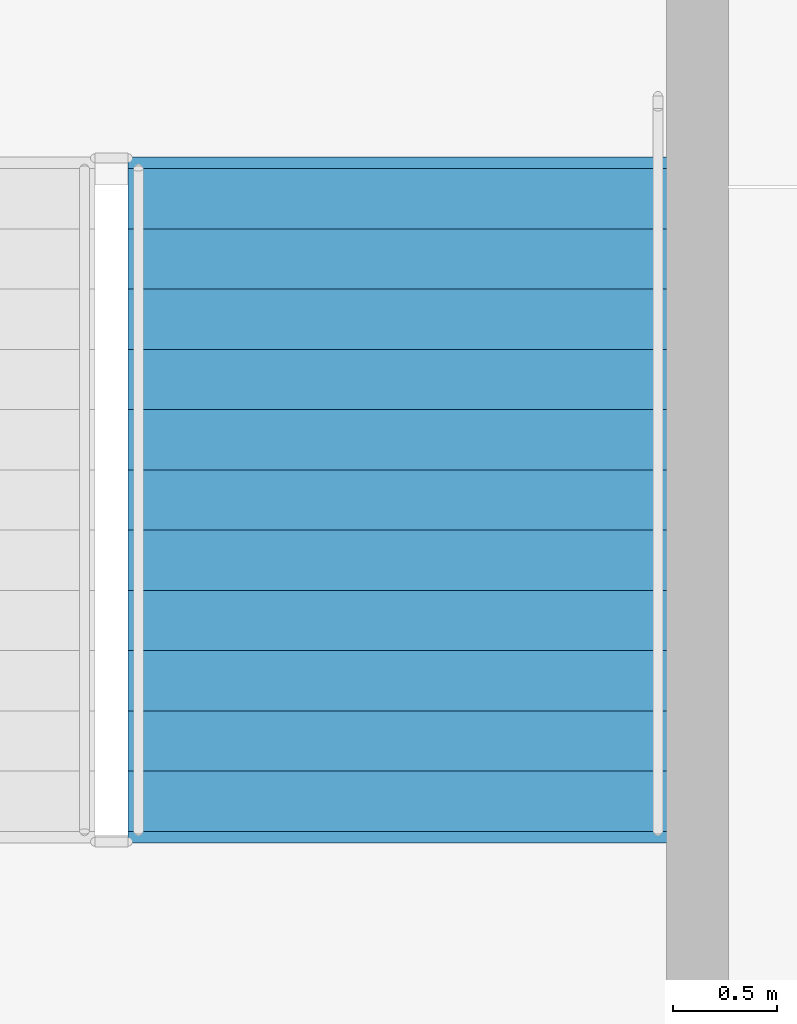
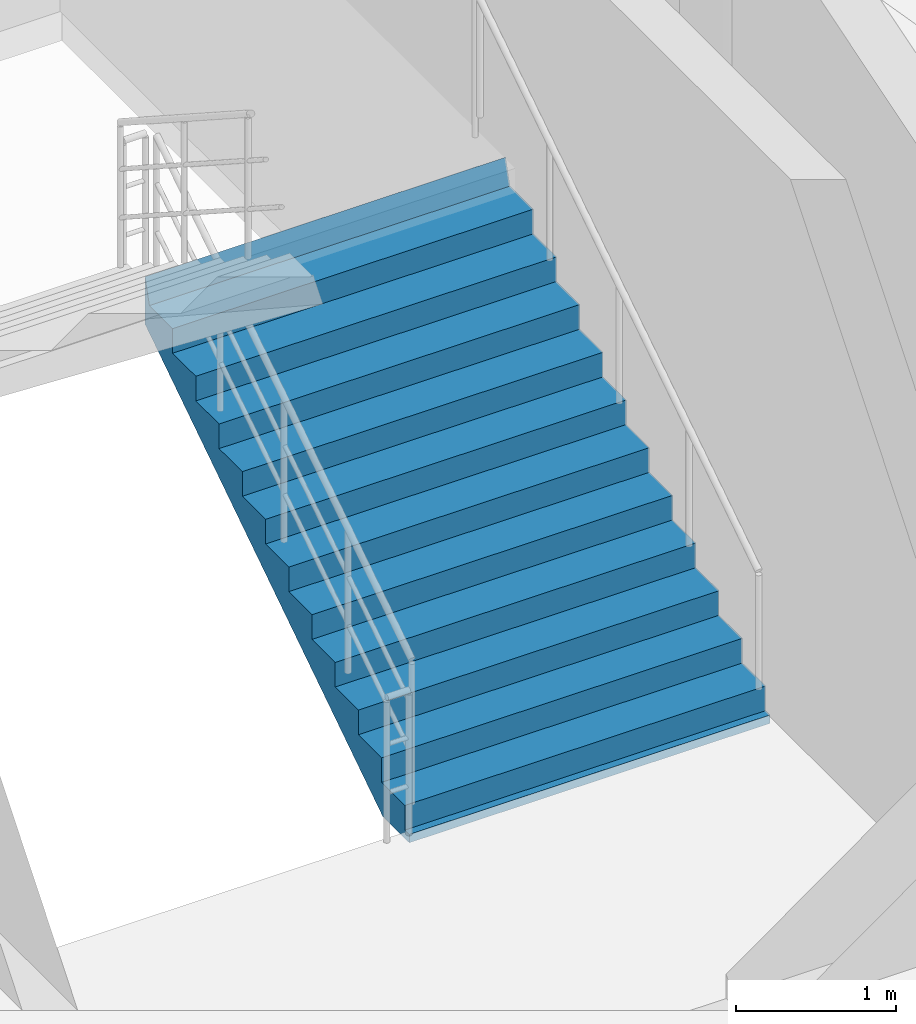
# One storey, part 53 of 60: 1 stair flight, 1 element without a shape of its own.
"""IFC4 building model written with IfcOpenShell, lengths in metres."""

from ifc_helpers import new_model, si_unit, direction, frame, origin, place, context, subcontext, project, spatial, polyline, outline, extrude, material, type_object, element, aggregate, save


model = new_model("IFC4")

# Units and contexts
model_context = context("Model", 3, precision=1e-05, world=origin(), true_north=direction((0.0, 1.0)))
body_context = subcontext(model_context, "Body", "Model", "MODEL_VIEW")
ifc_project = project(units=[si_unit("LENGTHUNIT", "METRE"), si_unit("AREAUNIT", "SQUARE_METRE"), si_unit("VOLUMEUNIT", "CUBIC_METRE"), si_unit("PLANEANGLEUNIT", "RADIAN"), si_unit("MASSUNIT", "GRAM", prefix="KILO")], contexts=[model_context])

# Site, building, storey
site_placement = place(None, origin())
site = spatial("IfcSite", under=ifc_project, at=site_placement, CompositionType="ELEMENT")
building_placement = place(site_placement, origin())
building = spatial("IfcBuilding", under=site, at=building_placement, Name="Cinderbank Siding Concert Hall", CompositionType="ELEMENT")
storey_placement = place(building_placement, frame((0.0, 0.0, 14.699951171875)))
storey = spatial("IfcBuildingStorey", under=building, at=storey_placement, Name="L04", CompositionType="ELEMENT", Elevation=14.699951171875)

# Stair, stair flight
ifc_material = material(Name="Reinforced concrete AS 3600 N50 (50 MPa)", Category="concrete")
stair_type = type_object("IfcStairType", Name="STR-B Dogleg Exit Stair 2600mm", PredefinedType="HALF_TURN_STAIR", material=ifc_material)
stair_placement = place(storey_placement, origin())
stair = element("IfcStair", 1, at=stair_placement, inside=storey, type_object=stair_type, Name="L04 Fire-isolated Exit Stair ST-03", PredefinedType="HALF_TURN_STAIR")
stair_flight_type = type_object("IfcStairFlightType", Name="SFL-B Concrete Stair Flight 2600mm", PredefinedType="STRAIGHT", material=ifc_material)
stair_flight_placement = place(storey_placement, frame((145.89990234375, 40.89990234375, 0.0), z_axis=(0.0, 0.0, 1.0), x_axis=(0.0, 1.0, 0.0)))
stair_flight = element("IfcStairFlight", 2, at=stair_flight_placement, type_object=stair_flight_type, Name="ST-03 flight 1", NumberOfRisers=12, NumberOfTreads=11, PredefinedType="STRAIGHT", RiserHeight=0.1875, TreadLength=0.29, context=body_context, shape_type="SweptSolid", body=[
    extrude(outline(polyline([(0.0, 0.0), (0.0, 0.1875), (0.2900390625, 0.1875), (0.2900390625, 0.375), (0.580078125, 0.375), (0.580078125, 0.5625), (0.8701171875, 0.5625), (0.8701171875, 0.75), (1.159912109375, 0.75), (1.159912109375, 0.9375), (1.449951171875, 0.9375), (1.449951171875, 1.125), (1.739990234375, 1.125), (1.739990234375, 1.3125), (2.030029296875, 1.3125), (2.030029296875, 1.5), (2.320068359375, 1.5), (2.320068359375, 1.6875), (2.610107421875, 1.6875), (2.610107421875, 1.875), (2.89990234375, 1.875), (2.89990234375, 2.0625), (3.18994140625, 2.0625), (3.244873046875, 2.25), (3.244873046875, 1.884033203125), (3.24462890625, 1.88427734375), (3.24462890625, 1.884521484375), (3.24462890625, 1.884765625), (3.24462890625, 1.885009765625), (3.24462890625, 1.88525390625), (3.24462890625, 1.885498046875), (3.24462890625, 1.8857421875), (3.24462890625, 1.885986328125), (3.24462890625, 1.88623046875), (3.24462890625, 1.886474609375), (3.24462890625, 1.88671875), (3.24462890625, 1.886962890625), (3.244384765625, 1.886962890625), (3.244384765625, 1.88671875), (3.244384765625, 1.886474609375), (3.244384765625, 1.88623046875), (3.244384765625, 1.885986328125), (3.244384765625, 1.8857421875), (3.244384765625, 1.885498046875), (3.244384765625, 1.88525390625), (3.244384765625, 1.885009765625), (3.244384765625, 1.884765625), (3.244384765625, 1.884521484375), (3.244384765625, 1.88427734375), (3.244384765625, 1.884033203125), (3.244140625, 1.88427734375), (3.244140625, 1.884521484375), (3.244140625, 1.884765625), (3.244140625, 1.885009765625), (3.244140625, 1.88525390625), (3.244140625, 1.885498046875), (3.244140625, 1.8857421875), (3.244140625, 1.885986328125), (3.244140625, 1.88623046875), (3.244140625, 1.886474609375), (3.244140625, 1.88671875), (3.244140625, 1.886962890625), (3.243896484375, 1.886962890625), (3.243896484375, 1.88671875), (3.243896484375, 1.886474609375), (3.243896484375, 1.88623046875), (3.243896484375, 1.885986328125), (3.243896484375, 1.8857421875), (3.243896484375, 1.885498046875), (3.243896484375, 1.88525390625), (3.243896484375, 1.885009765625), (3.243896484375, 1.884765625), (3.243896484375, 1.884521484375), (3.243896484375, 1.88427734375), (3.243896484375, 1.884033203125), (3.24365234375, 1.88427734375), (3.24365234375, 1.884521484375), (3.24365234375, 1.884765625), (3.24365234375, 1.885009765625), (3.24365234375, 1.88525390625), (3.24365234375, 1.885498046875), (3.24365234375, 1.8857421875), (3.24365234375, 1.885986328125), (3.24365234375, 1.88623046875), (3.24365234375, 1.886474609375), (3.24365234375, 1.88671875), (3.24365234375, 1.886962890625), (3.243408203125, 1.886962890625), (3.243408203125, 1.88671875), (3.243408203125, 1.886474609375), (3.243408203125, 1.88623046875), (3.243408203125, 1.885986328125), (3.243408203125, 1.8857421875), (3.243408203125, 1.885498046875), (3.243408203125, 1.88525390625), (3.243408203125, 1.885009765625), (3.243408203125, 1.884765625), (3.243408203125, 1.884521484375), (3.243408203125, 1.88427734375), (3.243408203125, 1.884033203125), (3.2431640625, 1.88427734375), (3.2431640625, 1.884521484375), (3.2431640625, 1.884765625), (3.2431640625, 1.885009765625), (3.2431640625, 1.88525390625), (3.2431640625, 1.885498046875), (3.2431640625, 1.8857421875), (3.2431640625, 1.885986328125), (3.2431640625, 1.88623046875), (3.2431640625, 1.886474609375), (3.2431640625, 1.88671875), (3.2431640625, 1.886962890625), (3.242919921875, 1.886962890625), (3.242919921875, 1.88671875), (3.242919921875, 1.886474609375), (3.242919921875, 1.88623046875), (3.242919921875, 1.885986328125), (3.242919921875, 1.8857421875), (3.242919921875, 1.885498046875), (3.242919921875, 1.88525390625), (3.242919921875, 1.885009765625), (3.242919921875, 1.884765625), (3.242919921875, 1.884521484375), (3.242919921875, 1.88427734375), (3.242919921875, 1.884033203125), (3.24267578125, 1.88427734375), (3.24267578125, 1.884521484375), (3.24267578125, 1.884765625), (3.24267578125, 1.885009765625), (3.24267578125, 1.88525390625), (3.24267578125, 1.885498046875), (3.24267578125, 1.8857421875), (3.24267578125, 1.885986328125), (3.24267578125, 1.88623046875), (3.24267578125, 1.886474609375), (3.24267578125, 1.88671875), (3.24267578125, 1.886962890625), (3.242431640625, 1.886962890625), (3.242431640625, 1.88671875), (3.242431640625, 1.886474609375), (3.242431640625, 1.88623046875), (3.242431640625, 1.885986328125), (3.242431640625, 1.8857421875), (3.242431640625, 1.885498046875), (3.242431640625, 1.88525390625), (3.242431640625, 1.885009765625), (3.242431640625, 1.884765625), (3.242431640625, 1.884521484375), (3.242431640625, 1.88427734375), (3.242431640625, 1.884033203125), (3.2421875, 1.88427734375), (3.2421875, 1.884521484375), (3.2421875, 1.884765625), (3.2421875, 1.885009765625), (3.2421875, 1.88525390625), (3.2421875, 1.885498046875), (3.2421875, 1.8857421875), (3.2421875, 1.885986328125), (3.2421875, 1.88623046875), (3.2421875, 1.886474609375), (3.2421875, 1.88671875), (3.2421875, 1.886962890625), (3.241943359375, 1.886962890625), (3.241943359375, 1.88671875), (3.241943359375, 1.886474609375), (3.241943359375, 1.88623046875), (3.241943359375, 1.885986328125), (3.241943359375, 1.8857421875), (3.241943359375, 1.885498046875), (3.241943359375, 1.88525390625), (3.241943359375, 1.885009765625), (3.241943359375, 1.884765625), (3.241943359375, 1.884521484375), (3.241943359375, 1.88427734375), (3.241943359375, 1.884033203125), (3.24169921875, 1.88427734375), (3.24169921875, 1.884521484375), (3.24169921875, 1.884765625), (3.24169921875, 1.885009765625), (3.24169921875, 1.88525390625), (3.24169921875, 1.885498046875), (3.24169921875, 1.8857421875), (3.24169921875, 1.885986328125), (3.24169921875, 1.88623046875), (3.24169921875, 1.886474609375), (3.24169921875, 1.88671875), (3.24169921875, 1.886962890625), (3.241455078125, 1.886962890625), (3.241455078125, 1.88671875), (3.241455078125, 1.886474609375), (3.241455078125, 1.88623046875), (3.241455078125, 1.885986328125), (3.241455078125, 1.8857421875), (3.241455078125, 1.885498046875), (3.241455078125, 1.88525390625), (3.241455078125, 1.885009765625), (3.241455078125, 1.884765625), (3.241455078125, 1.884521484375), (3.241455078125, 1.88427734375), (3.241455078125, 1.884033203125), (3.2412109375, 1.88427734375), (3.2412109375, 1.884521484375), (3.2412109375, 1.884765625), (3.2412109375, 1.885009765625), (3.2412109375, 1.88525390625), (3.2412109375, 1.885498046875), (3.2412109375, 1.8857421875), (3.2412109375, 1.885986328125), (3.2412109375, 1.88623046875), (3.2412109375, 1.886474609375), (3.2412109375, 1.88671875), (3.2412109375, 1.886962890625), (3.240966796875, 1.886962890625), (3.240966796875, 1.88671875), (3.240966796875, 1.886474609375), (3.240966796875, 1.88623046875), (3.240966796875, 1.885986328125), (3.240966796875, 1.8857421875), (3.240966796875, 1.885498046875), (3.240966796875, 1.88525390625), (3.240966796875, 1.885009765625), (3.240966796875, 1.884765625), (3.240966796875, 1.884521484375), (3.240966796875, 1.88427734375), (3.240966796875, 1.884033203125), (3.24072265625, 1.88427734375), (3.24072265625, 1.884521484375), (3.24072265625, 1.884765625), (3.24072265625, 1.885009765625), (3.24072265625, 1.88525390625), (3.24072265625, 1.885498046875), (3.24072265625, 1.8857421875), (3.24072265625, 1.885986328125), (3.24072265625, 1.88623046875), (3.24072265625, 1.886474609375), (3.24072265625, 1.88671875), (3.24072265625, 1.886962890625), (3.240478515625, 1.886962890625), (3.240478515625, 1.88671875), (3.240478515625, 1.886474609375), (3.240478515625, 1.88623046875), (3.240478515625, 1.885986328125), (3.240478515625, 1.8857421875), (3.240478515625, 1.885498046875), (3.240478515625, 1.88525390625), (3.240478515625, 1.885009765625), (3.240478515625, 1.884765625), (3.240478515625, 1.884521484375), (3.240478515625, 1.88427734375), (3.240478515625, 1.884033203125), (3.240234375, 1.88427734375), (3.240234375, 1.884521484375), (3.240234375, 1.884765625), (3.240234375, 1.885009765625), (3.240234375, 1.88525390625), (3.240234375, 1.885498046875), (3.240234375, 1.8857421875), (3.240234375, 1.885986328125), (3.240234375, 1.88623046875), (3.240234375, 1.886474609375), (3.240234375, 1.88671875), (3.240234375, 1.886962890625), (3.239990234375, 1.886962890625), (3.239990234375, 1.88671875), (3.239990234375, 1.886474609375), (3.239990234375, 1.88623046875), (3.239990234375, 1.885986328125), (3.239990234375, 1.8857421875), (3.239990234375, 1.885498046875), (3.239990234375, 1.88525390625), (3.239990234375, 1.885009765625), (3.239990234375, 1.884765625), (3.239990234375, 1.884521484375), (3.239990234375, 1.88427734375), (3.239990234375, 1.884033203125), (3.23974609375, 1.88427734375), (3.23974609375, 1.884521484375), (3.23974609375, 1.884765625), (3.23974609375, 1.885009765625), (3.23974609375, 1.88525390625), (3.23974609375, 1.885498046875), (3.23974609375, 1.8857421875), (3.23974609375, 1.885986328125), (3.23974609375, 1.88623046875), (3.23974609375, 1.886474609375), (3.23974609375, 1.88671875), (3.23974609375, 1.886962890625), (3.239501953125, 1.886962890625), (3.239501953125, 1.88671875), (3.239501953125, 1.886474609375), (3.239501953125, 1.88623046875), (3.239501953125, 1.885986328125), (3.239501953125, 1.8857421875), (3.239501953125, 1.885498046875), (3.239501953125, 1.88525390625), (3.239501953125, 1.885009765625), (3.239501953125, 1.884765625), (3.239501953125, 1.884521484375), (3.239501953125, 1.88427734375), (3.239501953125, 1.884033203125), (3.2392578125, 1.88427734375), (3.2392578125, 1.884521484375), (3.2392578125, 1.884765625), (3.2392578125, 1.885009765625), (3.2392578125, 1.88525390625), (3.2392578125, 1.885498046875), (3.2392578125, 1.8857421875), (3.2392578125, 1.885986328125), (3.2392578125, 1.88623046875), (3.2392578125, 1.886474609375), (3.2392578125, 1.88671875), (3.2392578125, 1.886962890625), (3.239013671875, 1.886962890625), (3.239013671875, 1.88671875), (3.239013671875, 1.886474609375), (3.239013671875, 1.88623046875), (3.239013671875, 1.885986328125), (3.239013671875, 1.8857421875), (3.239013671875, 1.885498046875), (3.239013671875, 1.88525390625), (3.239013671875, 1.885009765625), (3.239013671875, 1.884765625), (3.239013671875, 1.884521484375), (3.239013671875, 1.88427734375), (3.239013671875, 1.884033203125), (3.23876953125, 1.88427734375), (3.23876953125, 1.884521484375), (3.23876953125, 1.884765625), (3.23876953125, 1.885009765625), (3.23876953125, 1.88525390625), (3.23876953125, 1.885498046875), (3.23876953125, 1.8857421875), (3.23876953125, 1.885986328125), (3.23876953125, 1.88623046875), (3.23876953125, 1.886474609375), (3.23876953125, 1.88671875), (3.23876953125, 1.886962890625), (3.238525390625, 1.886962890625), (3.238525390625, 1.88671875), (3.238525390625, 1.886474609375), (3.238525390625, 1.88623046875), (3.238525390625, 1.885986328125), (3.238525390625, 1.8857421875), (3.238525390625, 1.885498046875), (3.238525390625, 1.88525390625), (3.238525390625, 1.885009765625), (3.238525390625, 1.884765625), (3.238525390625, 1.884521484375), (3.238525390625, 1.88427734375), (3.238525390625, 1.884033203125), (0.276123046875, -0.06396484375), (-0.048583984375, -0.063720703125), (-0.048583984375, -0.0634765625), (-0.048583984375, -0.063232421875), (-0.048583984375, -0.06298828125), (-0.048583984375, -0.062744140625), (-0.048583984375, -0.0625), (-0.048583984375, -0.062255859375), (-0.048583984375, -0.06201171875), (-0.048583984375, -0.061767578125), (-0.048583984375, -0.0615234375), (-0.048583984375, -0.061279296875), (-0.048583984375, -0.06103515625), (-0.048828125, -0.06103515625), (-0.048828125, -0.061279296875), (-0.048828125, -0.0615234375), (-0.048828125, -0.061767578125), (-0.048828125, -0.06201171875), (-0.048828125, -0.062255859375), (-0.048828125, -0.0625), (-0.048828125, -0.062744140625), (-0.048828125, -0.06298828125), (-0.048828125, -0.063232421875), (-0.048828125, -0.0634765625), (-0.048828125, -0.063720703125), (-0.048828125, -0.06396484375), (-0.049072265625, -0.063720703125), (-0.049072265625, -0.0634765625), (-0.049072265625, -0.063232421875), (-0.049072265625, -0.06298828125), (-0.049072265625, -0.062744140625), (-0.049072265625, -0.0625), (-0.049072265625, -0.062255859375), (-0.049072265625, -0.06201171875), (-0.049072265625, -0.061767578125), (-0.049072265625, -0.0615234375), (-0.049072265625, -0.061279296875), (-0.049072265625, -0.06103515625), (-0.04931640625, -0.06103515625), (-0.04931640625, -0.061279296875), (-0.04931640625, -0.0615234375), (-0.04931640625, -0.061767578125), (-0.04931640625, -0.06201171875), (-0.04931640625, -0.062255859375), (-0.04931640625, -0.0625), (-0.04931640625, -0.062744140625), (-0.04931640625, -0.06298828125), (-0.04931640625, -0.063232421875), (-0.04931640625, -0.0634765625), (-0.04931640625, -0.063720703125), (-0.04931640625, -0.06396484375), (-0.049560546875, -0.063720703125), (-0.049560546875, -0.0634765625), (-0.049560546875, -0.063232421875), (-0.049560546875, -0.06298828125), (-0.049560546875, -0.062744140625), (-0.049560546875, -0.0625), (-0.049560546875, -0.062255859375), (-0.049560546875, -0.06201171875), (-0.049560546875, -0.061767578125), (-0.049560546875, -0.0615234375), (-0.049560546875, -0.061279296875), (-0.049560546875, -0.06103515625), (-0.0498046875, -0.06103515625), (-0.0498046875, -0.061279296875), (-0.0498046875, -0.0615234375), (-0.0498046875, -0.061767578125), (-0.0498046875, -0.06201171875), (-0.0498046875, -0.062255859375), (-0.0498046875, -0.0625), (-0.0498046875, -0.062744140625), (-0.0498046875, -0.06298828125), (-0.0498046875, -0.063232421875), (-0.0498046875, -0.0634765625), (-0.0498046875, -0.063720703125), (-0.0498046875, -0.06396484375), (-0.050048828125, -0.063720703125), (-0.050048828125, -0.0634765625), (-0.050048828125, -0.063232421875), (-0.050048828125, -0.06298828125), (-0.050048828125, -0.062744140625), (-0.050048828125, -0.0625), (-0.050048828125, -0.062255859375), (-0.050048828125, -0.06201171875), (-0.050048828125, -0.061767578125), (-0.050048828125, -0.0615234375), (-0.050048828125, -0.061279296875), (-0.050048828125, -0.06103515625), (-0.05029296875, -0.06103515625), (-0.05029296875, -0.061279296875), (-0.05029296875, -0.0615234375), (-0.05029296875, -0.061767578125), (-0.05029296875, -0.06201171875), (-0.05029296875, -0.062255859375), (-0.05029296875, -0.0625), (-0.05029296875, -0.062744140625), (-0.05029296875, -0.06298828125), (-0.05029296875, -0.063232421875), (-0.05029296875, -0.0634765625), (-0.05029296875, -0.063720703125), (-0.05029296875, -0.06396484375), (-0.050537109375, -0.063720703125), (-0.050537109375, -0.0634765625), (-0.050537109375, -0.063232421875), (-0.050537109375, -0.06298828125), (-0.050537109375, -0.062744140625), (-0.050537109375, -0.0625), (-0.050537109375, -0.062255859375), (-0.050537109375, -0.06201171875), (-0.050537109375, -0.061767578125), (-0.050537109375, -0.0615234375), (-0.050537109375, -0.061279296875), (-0.050537109375, -0.06103515625), (-0.05078125, -0.06103515625), (-0.05078125, -0.061279296875), (-0.05078125, -0.0615234375), (-0.05078125, -0.061767578125), (-0.05078125, -0.06201171875), (-0.05078125, -0.062255859375), (-0.05078125, -0.0625), (-0.05078125, -0.062744140625), (-0.05078125, -0.06298828125), (-0.05078125, -0.063232421875), (-0.05078125, -0.0634765625), (-0.05078125, -0.063720703125), (-0.05078125, -0.06396484375), (-0.051025390625, -0.063720703125), (-0.051025390625, -0.0634765625), (-0.051025390625, -0.063232421875), (-0.051025390625, -0.06298828125), (-0.051025390625, -0.062744140625), (-0.051025390625, -0.0625), (-0.051025390625, -0.062255859375), (-0.051025390625, -0.06201171875), (-0.051025390625, -0.061767578125), (-0.051025390625, -0.0615234375), (-0.051025390625, -0.061279296875), (-0.051025390625, -0.06103515625), (-0.05126953125, -0.06103515625), (-0.05126953125, -0.061279296875), (-0.05126953125, -0.0615234375), (-0.05126953125, -0.061767578125), (-0.05126953125, -0.06201171875), (-0.05126953125, -0.062255859375), (-0.05126953125, -0.0625), (-0.05126953125, -0.062744140625), (-0.05126953125, -0.06298828125), (-0.05126953125, -0.063232421875), (-0.05126953125, -0.0634765625), (-0.05126953125, -0.063720703125), (-0.05126953125, -0.06396484375), (-0.051513671875, -0.063720703125), (-0.051513671875, -0.0634765625), (-0.051513671875, -0.063232421875), (-0.051513671875, -0.06298828125), (-0.051513671875, -0.062744140625), (-0.051513671875, -0.0625), (-0.051513671875, -0.062255859375), (-0.051513671875, -0.06201171875), (-0.051513671875, -0.061767578125), (-0.051513671875, -0.0615234375), (-0.051513671875, -0.061279296875), (-0.051513671875, -0.06103515625), (-0.0517578125, -0.06103515625), (-0.0517578125, -0.061279296875), (-0.0517578125, -0.0615234375), (-0.0517578125, -0.061767578125), (-0.0517578125, -0.06201171875), (-0.0517578125, -0.062255859375), (-0.0517578125, -0.0625), (-0.0517578125, -0.062744140625), (-0.0517578125, -0.06298828125), (-0.0517578125, -0.063232421875), (-0.0517578125, -0.0634765625), (-0.0517578125, -0.063720703125), (-0.0517578125, -0.06396484375), (-0.052001953125, -0.063720703125), (-0.052001953125, -0.0634765625), (-0.052001953125, -0.063232421875), (-0.052001953125, -0.06298828125), (-0.052001953125, -0.062744140625), (-0.052001953125, -0.0625), (-0.052001953125, -0.062255859375), (-0.052001953125, -0.06201171875), (-0.052001953125, -0.061767578125), (-0.052001953125, -0.0615234375), (-0.052001953125, -0.061279296875), (-0.052001953125, -0.06103515625), (-0.05224609375, -0.06103515625), (-0.05224609375, -0.061279296875), (-0.05224609375, -0.0615234375), (-0.05224609375, -0.061767578125), (-0.05224609375, -0.06201171875), (-0.05224609375, -0.062255859375), (-0.05224609375, -0.0625), (-0.05224609375, -0.062744140625), (-0.05224609375, -0.06298828125), (-0.05224609375, -0.063232421875), (-0.05224609375, -0.0634765625), (-0.05224609375, -0.063720703125), (-0.05224609375, -0.06396484375), (-0.052490234375, -0.063720703125), (-0.052490234375, -0.0634765625), (-0.052490234375, -0.063232421875), (-0.052490234375, -0.06298828125), (-0.052490234375, -0.062744140625), (-0.052490234375, -0.0625), (-0.052490234375, -0.062255859375), (-0.052490234375, -0.06201171875), (-0.052490234375, -0.061767578125), (-0.052490234375, -0.0615234375), (-0.052490234375, -0.061279296875), (-0.052490234375, -0.06103515625), (-0.052734375, -0.06103515625), (-0.052734375, -0.061279296875), (-0.052734375, -0.0615234375), (-0.052734375, -0.061767578125), (-0.052734375, -0.06201171875), (-0.052734375, -0.062255859375), (-0.052734375, -0.0625), (-0.052734375, -0.062744140625), (-0.052734375, -0.06298828125), (-0.052734375, -0.063232421875), (-0.052734375, -0.0634765625), (-0.052734375, -0.063720703125), (-0.052734375, -0.06396484375), (-0.052978515625, -0.063720703125), (-0.052978515625, -0.0634765625), (-0.052978515625, -0.063232421875), (-0.052978515625, -0.06298828125), (-0.052978515625, -0.062744140625), (-0.052978515625, -0.0625), (-0.052978515625, -0.062255859375), (-0.052978515625, -0.06201171875), (-0.052978515625, -0.061767578125), (-0.052978515625, -0.0615234375), (-0.052978515625, -0.061279296875), (-0.052978515625, -0.06103515625), (-0.05322265625, -0.06103515625), (-0.05322265625, -0.061279296875), (-0.05322265625, -0.0615234375), (-0.05322265625, -0.061767578125), (-0.05322265625, -0.06201171875), (-0.05322265625, -0.062255859375), (-0.05322265625, -0.0625), (-0.05322265625, -0.062744140625), (-0.05322265625, -0.06298828125), (-0.05322265625, -0.063232421875), (-0.05322265625, -0.0634765625), (-0.05322265625, -0.063720703125), (-0.05322265625, -0.06396484375), (-0.053466796875, -0.063720703125), (-0.053466796875, -0.0634765625), (-0.053466796875, -0.063232421875), (-0.053466796875, -0.06298828125), (-0.053466796875, -0.062744140625), (-0.053466796875, -0.0625), (-0.053466796875, -0.062255859375), (-0.053466796875, -0.06201171875), (-0.053466796875, -0.061767578125), (-0.053466796875, -0.0615234375), (-0.053466796875, -0.061279296875), (-0.053466796875, -0.06103515625), (-0.0537109375, -0.06103515625), (-0.0537109375, -0.061279296875), (-0.0537109375, -0.0615234375), (-0.0537109375, -0.061767578125), (-0.0537109375, -0.06201171875), (-0.0537109375, -0.062255859375), (-0.0537109375, -0.0625), (-0.0537109375, -0.062744140625), (-0.0537109375, -0.06298828125), (-0.0537109375, -0.063232421875), (-0.0537109375, -0.0634765625), (-0.0537109375, -0.063720703125), (-0.0537109375, -0.06396484375), (-0.053955078125, -0.063720703125), (-0.053955078125, -0.0634765625), (-0.053955078125, -0.063232421875), (-0.053955078125, -0.06298828125), (-0.053955078125, -0.062744140625), (-0.053955078125, -0.0625), (-0.053955078125, -0.062255859375), (-0.053955078125, -0.06201171875), (-0.053955078125, -0.061767578125), (-0.053955078125, -0.0615234375), (-0.053955078125, -0.061279296875), (-0.053955078125, -0.06103515625), (-0.05419921875, -0.06103515625), (-0.05419921875, -0.061279296875), (-0.05419921875, -0.0615234375), (-0.05419921875, -0.061767578125), (-0.05419921875, -0.06201171875), (-0.05419921875, -0.062255859375), (-0.05419921875, -0.0625), (-0.05419921875, -0.062744140625), (-0.05419921875, -0.06298828125), (-0.05419921875, -0.063232421875), (-0.05419921875, -0.0634765625), (-0.05419921875, -0.063720703125), (-0.05419921875, -0.06396484375), (-0.054443359375, -0.063720703125), (-0.054443359375, -0.0634765625), (-0.054443359375, -0.063232421875), (-0.054443359375, -0.06298828125), (-0.054443359375, -0.062744140625), (-0.054443359375, -0.0625), (-0.054443359375, -0.062255859375), (-0.054443359375, -0.06201171875), (-0.054443359375, -0.061767578125), (-0.054443359375, -0.0615234375), (-0.054443359375, -0.061279296875), (-0.054443359375, -0.06103515625), (-0.0546875, -0.06103515625), (-0.0546875, -0.061279296875), (-0.0546875, -0.0615234375), (-0.0546875, -0.061767578125), (-0.0546875, -0.06201171875), (-0.0546875, -0.062255859375), (-0.0546875, -0.0625), (-0.0546875, -0.062744140625), (-0.0546875, -0.06298828125), (-0.0546875, -0.063232421875), (-0.0546875, -0.0634765625), (-0.0546875, -0.063720703125), (-0.0546875, -0.06396484375), (-0.054931640625, -0.06396484375), (-0.054931640625, 0.0), (0.0, 0.0)])), frame((0.0, 1.300048828125, 0.0), z_axis=(0.0, -1.0, 0.0), x_axis=(1.0, 0.0, 0.0)), (0.0, 0.0, 1.0), 2.60009765625),
])
aggregate(stair, [stair_flight])

save(model, "model.ifc")
